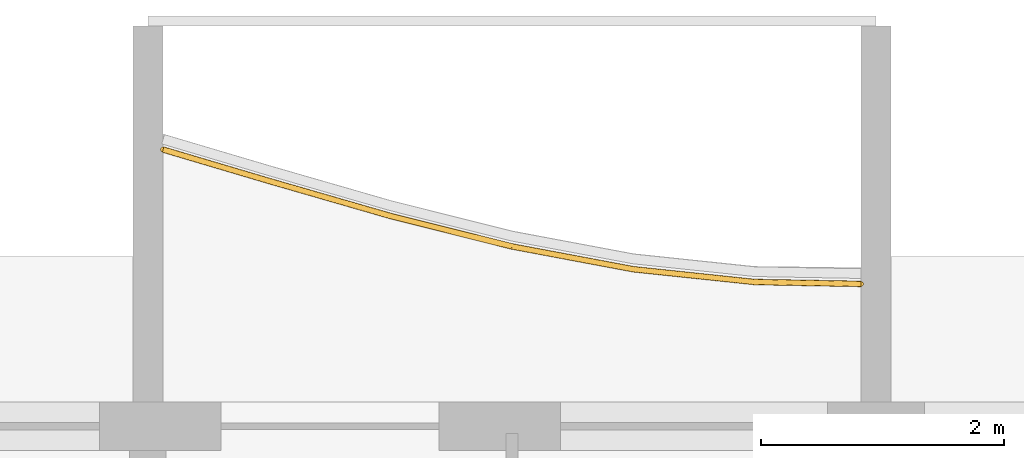
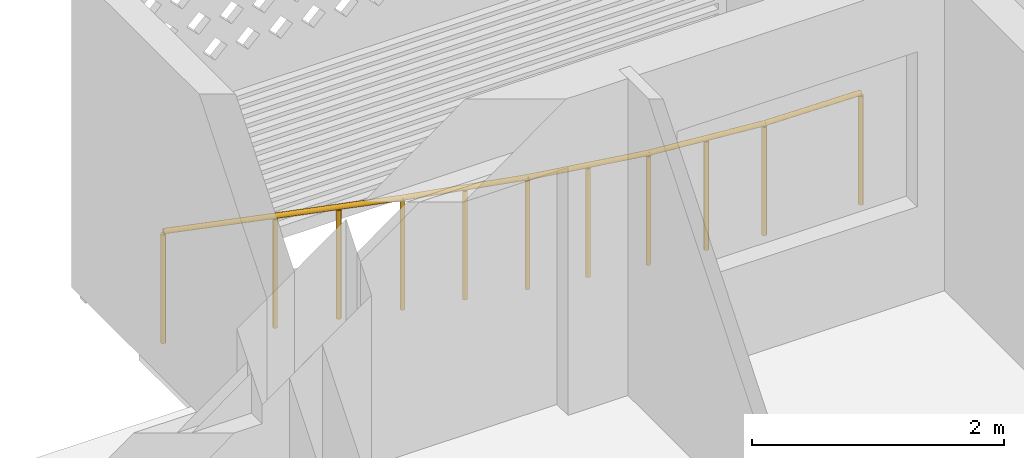
# One storey, part 25 of 32: 1 railing.
"""IFC4 building model written with IfcOpenShell, lengths in metres."""

from ifc_helpers import new_model, si_unit, direction, frame, origin, origin_2d, place, context, subcontext, project, spatial, circle, extrude, material, type_object, element, save


model = new_model("IFC4")

# Units and contexts
model_context = context("Model", 3, precision=1e-05, world=origin(), true_north=direction((0.0, 1.0)))
body_context = subcontext(model_context, "Body", "Model", "MODEL_VIEW")
ifc_project = project(units=[si_unit("LENGTHUNIT", "METRE"), si_unit("AREAUNIT", "SQUARE_METRE"), si_unit("VOLUMEUNIT", "CUBIC_METRE"), si_unit("PLANEANGLEUNIT", "RADIAN"), si_unit("MASSUNIT", "GRAM", prefix="KILO")], contexts=[model_context])

# Site, building, storey
site_placement = place(None, origin())
site = spatial("IfcSite", under=ifc_project, at=site_placement, CompositionType="ELEMENT")
building_placement = place(site_placement, origin())
building = spatial("IfcBuilding", under=site, at=building_placement, Name="Poui Terraces", CompositionType="ELEMENT")
storey_placement = place(building_placement, frame((0.0, 0.0, 122.39990234375)))
storey = spatial("IfcBuildingStorey", under=building, at=storey_placement, Name="L33", CompositionType="ELEMENT", Elevation=122.39990234375)

# Railing
ifc_material = material(Name="Painted steel fretwork", Category="steel")
railing_type = type_object("IfcRailingType", Name="BALCONY GUARD 1100", PredefinedType="GUARDRAIL", material=ifc_material)
railing_placement = place(storey_placement, frame((48.125, 44.679931640625, 0.0)))
element("IfcRailing", 1, at=railing_placement, inside=storey, type_object=railing_type, Name="BALCONY GUARD", PredefinedType="GUARDRAIL", context=body_context, shape_type="SweptSolid", body=[
    extrude(circle(Radius=0.02392578125, at=origin_2d()), frame((0.0, 0.0, 1.076171875), z_axis=(0.9587927149, -0.284106546658, 0.0), x_axis=(0.284106546658, 0.9587927149, 0.0)), (0.0, 0.0, 1.0), 0.91259765625),
    extrude(circle(Radius=0.02392578125, at=origin_2d()), frame((0.875, -0.25927734375, 1.076171875), z_axis=(0.960857222001, -0.277044037887, 0.0), x_axis=(0.277044037887, 0.960857222001, 0.0)), (0.0, 0.0, 1.0), 1.040771484375),
    extrude(circle(Radius=0.02392578125, at=origin_2d()), frame((1.875, -0.547607421875, 1.076171875), z_axis=(0.969975109493, -0.243204208362, 0.0), x_axis=(0.243204208362, 0.969975109493, 0.0)), (0.0, 0.0, 1.0), 1.031005859375),
    extrude(circle(Radius=0.02392578125, at=origin_2d()), frame((2.875, -0.79833984375, 1.076171875), z_axis=(0.982828697247, -0.184520329146, 0.0), x_axis=(0.184520329146, 0.982828697247, 0.0)), (0.0, 0.0, 1.0), 1.017578125),
    extrude(circle(Radius=0.02392578125, at=origin_2d()), frame((3.875, -0.986083984375, 1.076171875), z_axis=(0.994509443434, -0.104646867705, 0.0), x_axis=(0.104646867705, 0.994509443434, 0.0)), (0.0, 0.0, 1.0), 1.005615234375),
    extrude(circle(Radius=0.02392578125, at=origin_2d()), frame((4.875, -1.09130859375, 1.076171875), z_axis=(0.999840599345, -0.017854296417, 0.0), x_axis=(0.017854296417, 0.999840599345, 0.0)), (0.0, 0.0, 1.0), 0.875244140625),
    extrude(circle(Radius=0.02099609375, at=origin_2d()), origin(), (0.0, 0.0, 1.0), 1.052001953125),
    extrude(circle(Radius=0.02099609375, at=origin_2d()), frame((0.875, -0.25927734375, 0.0)), (0.0, 0.0, 1.0), 1.052001953125),
    extrude(circle(Radius=0.02099609375, at=origin_2d()), frame((1.375, -0.4033203125, 0.0)), (0.0, 0.0, 1.0), 1.052001953125),
    extrude(circle(Radius=0.02099609375, at=origin_2d()), frame((1.875, -0.547607421875, 0.0)), (0.0, 0.0, 1.0), 1.052001953125),
    extrude(circle(Radius=0.02099609375, at=origin_2d()), frame((2.375, -0.6728515625, 0.0)), (0.0, 0.0, 1.0), 1.052001953125),
    extrude(circle(Radius=0.02099609375, at=origin_2d()), frame((2.875, -0.79833984375, 0.0)), (0.0, 0.0, 1.0), 1.052001953125),
    extrude(circle(Radius=0.02099609375, at=origin_2d()), frame((3.375, -0.89208984375, 0.0)), (0.0, 0.0, 1.0), 1.052001953125),
    extrude(circle(Radius=0.02099609375, at=origin_2d()), frame((3.875, -0.986083984375, 0.0)), (0.0, 0.0, 1.0), 1.052001953125),
    extrude(circle(Radius=0.02099609375, at=origin_2d()), frame((4.375, -1.03857421875, 0.0)), (0.0, 0.0, 1.0), 1.052001953125),
    extrude(circle(Radius=0.02099609375, at=origin_2d()), frame((4.875, -1.09130859375, 0.0)), (0.0, 0.0, 1.0), 1.052001953125),
    extrude(circle(Radius=0.02099609375, at=origin_2d()), frame((5.75, -1.10693359375, 0.0)), (0.0, 0.0, 1.0), 1.052001953125),
])

save(model, "model.ifc")
